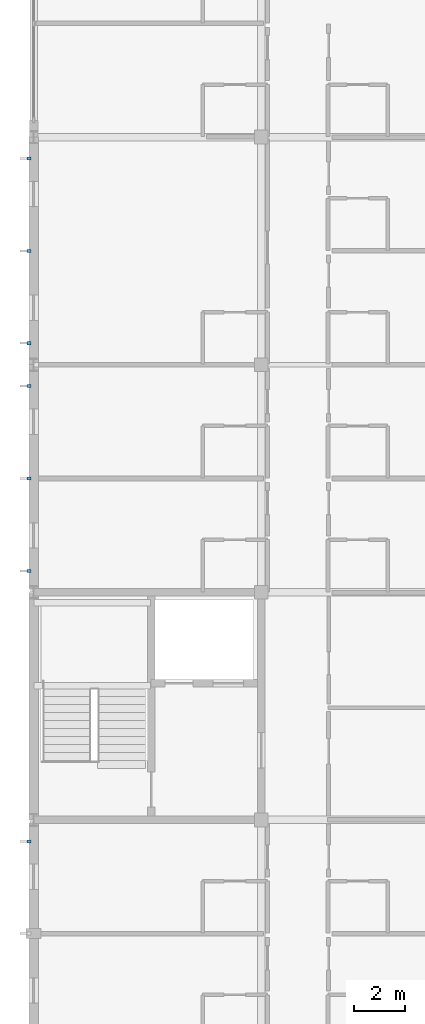
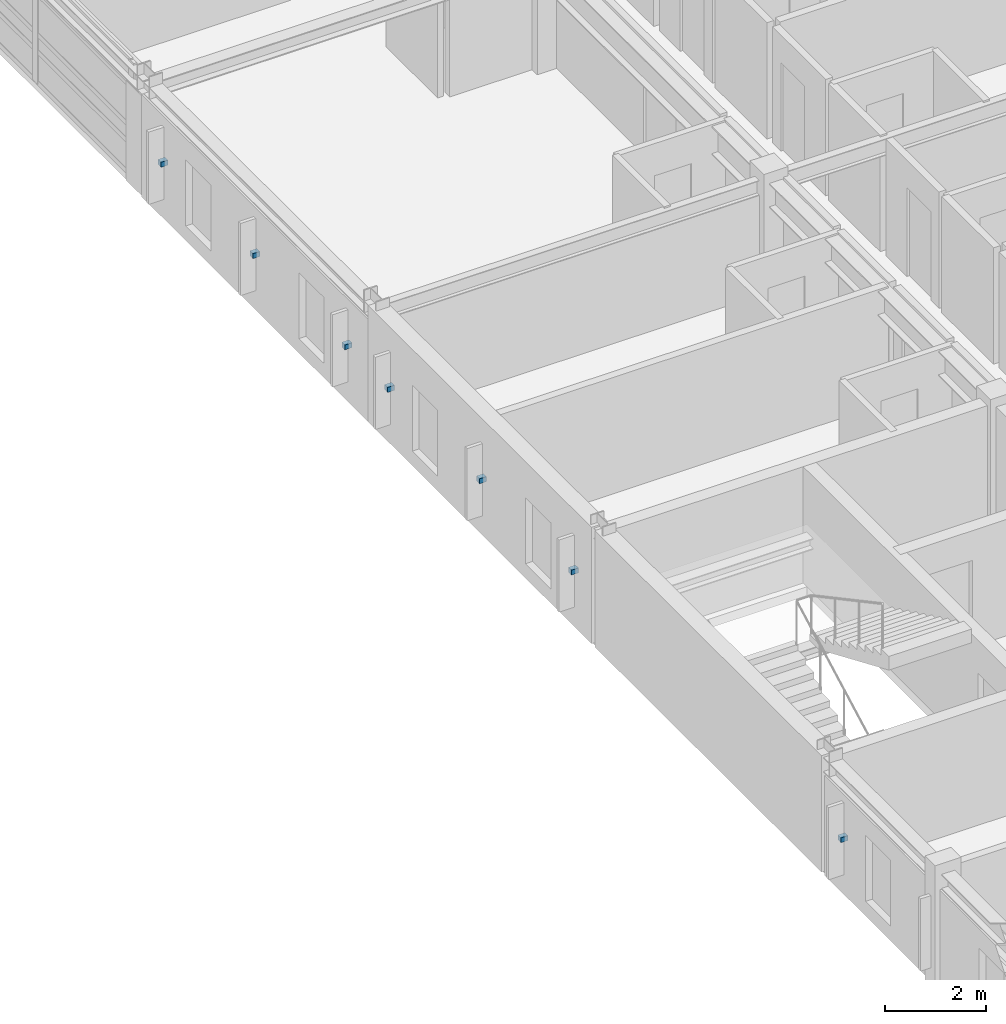
# One storey, part 26 of 30: 7 discrete accessories.
"""IFC4 building model written with IfcOpenShell, lengths in metres."""

from ifc_helpers import new_model, si_unit, direction, frame, origin, origin_2d, place, context, subcontext, project, spatial, rectangle, extrude, material, type_object, element, save


model = new_model("IFC4")

# Units and contexts
model_context = context("Model", 3, precision=1e-05, world=origin(), true_north=direction((0.0, 1.0)))
body_context = subcontext(model_context, "Body", "Model", "MODEL_VIEW")
ifc_project = project(units=[si_unit("LENGTHUNIT", "METRE"), si_unit("AREAUNIT", "SQUARE_METRE"), si_unit("VOLUMEUNIT", "CUBIC_METRE"), si_unit("PLANEANGLEUNIT", "RADIAN"), si_unit("MASSUNIT", "GRAM", prefix="KILO")], contexts=[model_context])

# Site, building, storey
site_placement = place(None, origin())
site = spatial("IfcSite", under=ifc_project, at=site_placement, CompositionType="ELEMENT")
building_placement = place(site_placement, origin())
building = spatial("IfcBuilding", under=site, at=building_placement, Name="Palais des Congres Ocreval", CompositionType="ELEMENT")
storey_placement = place(building_placement, frame((0.0, 0.0, 14.56005859375)))
storey = spatial("IfcBuildingStorey", under=building, at=storey_placement, Name="L04", CompositionType="ELEMENT", Elevation=14.56005859375)

# Discrete accessories
ifc_material = material(Name="Steel S355", Category="steel")
discrete_accessory_type = type_object("IfcDiscreteAccessoryType", Name="Stainless Brise-Soleil Fixing Bracket", PredefinedType="BRACKET", material=ifc_material)
for number, where, z_axis, x_axis, name in (
    (1, (-0.18994140625, 35.14990234375, 1.289794921875), (0.0, 0.0, 1.0), (-1.0, 0.0, 0.0), "Celosia Fixing Bracket BK01"),
    (2, (-0.18994140625, 45.85009765625, 1.289794921875), (0.0, 0.0, 1.0), (-1.0, 0.0, 0.0), "Celosia Fixing Bracket BK01"),
    (3, (-0.18994140625, 49.5, 1.289794921875), (0.0, 0.0, 1.0), (-1.0, 0.0, 0.0), "Celosia Fixing Bracket BK01"),
    (4, (-0.18994140625, 53.14990234375, 1.289794921875), (0.0, 0.0, 1.0), (-1.0, 0.0, 0.0), "Celosia Fixing Bracket BK01"),
    (5, (-0.18994140625, 54.85009765625, 1.289794921875), (0.0, 0.0, 1.0), (-1.0, 0.0, 0.0), "Celosia Fixing Bracket BK01"),
    (6, (-0.18994140625, 58.5, 1.289794921875), (0.0, 0.0, 1.0), (-1.0, 0.0, 0.0), "Celosia Fixing Bracket BK01"),
    (7, (-0.18994140625, 62.14990234375, 1.289794921875), (0.0, 0.0, 1.0), (-1.0, 0.0, 0.0), "Celosia Fixing Bracket BK01"),
):
    element("IfcDiscreteAccessory", number, at=place(storey_placement, frame(where, z_axis=z_axis, x_axis=x_axis)), inside=storey, type_object=discrete_accessory_type, Name=name, PredefinedType="BRACKET", context=body_context, shape_type="SweptSolid", body=[
        extrude(rectangle(XDim=0.159912109375, YDim=0.1201171875, at=origin_2d()), origin(), (0.0, 0.0, 1.0), 0.1201171875),
    ])

save(model, "model.ifc")
